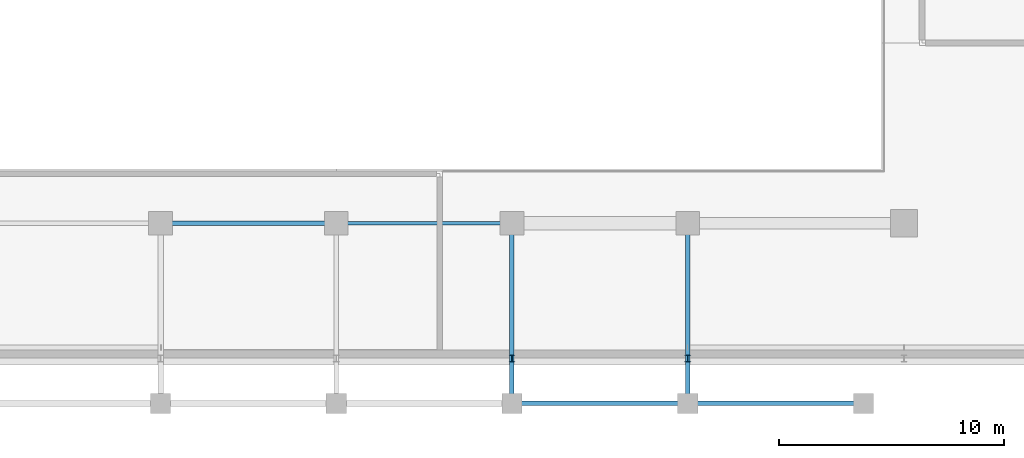
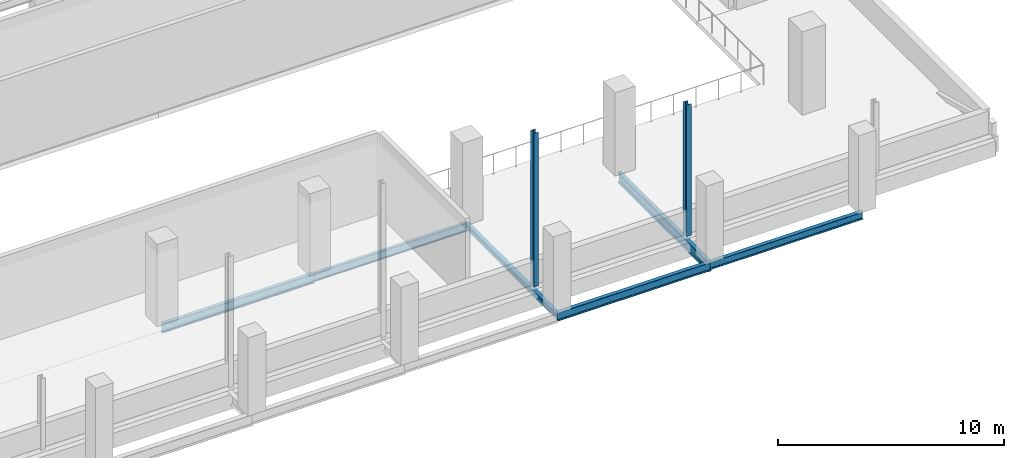
# One storey, part 33 of 85: 6 beams, 2 members.
"""IFC4 building model written with IfcOpenShell, lengths in metres."""

from ifc_helpers import new_model, si_unit, derived_unit, direction, frame, origin, origin_2d, place, context, subcontext, project, spatial, i_section, extrude, material, material_profile, profile_set, type_object, element, save


model = new_model("IFC4")

# Units and contexts
model_context = context("Model", 3, precision=1e-05, world=origin(), true_north=direction((0.0, 1.0)))
body_context = subcontext(model_context, "Body", "Model", "MODEL_VIEW")
ifc_project = project(units=[si_unit("LENGTHUNIT", "METRE"), si_unit("AREAUNIT", "SQUARE_METRE"), si_unit("VOLUMEUNIT", "CUBIC_METRE"), si_unit("PLANEANGLEUNIT", "RADIAN"), si_unit("MASSUNIT", "GRAM", prefix="KILO"), derived_unit("THERMALTRANSMITTANCEUNIT", [(si_unit("POWERUNIT", "WATT"), 1), (si_unit("LENGTHUNIT", "METRE"), -2), (si_unit("THERMODYNAMICTEMPERATUREUNIT", "KELVIN"), -1)])], contexts=[model_context])

# Site, building, storey
site_placement = place(None, origin())
site = spatial("IfcSite", under=ifc_project, at=site_placement, CompositionType="ELEMENT")
building_placement = place(site_placement, origin())
building = spatial("IfcBuilding", under=site, at=building_placement, Name="Nallur Shell Playhouse", CompositionType="ELEMENT")
storey_placement = place(building_placement, frame((0.0, 0.0, 19.800048828125)))
storey = spatial("IfcBuildingStorey", under=building, at=storey_placement, Name="L05", CompositionType="ELEMENT", Elevation=19.800048828125)

# Beams
ifc_material_1 = material(Name="Steel E350", Category="steel")
ifc_material_profile_1 = material_profile(ifc_material_1, i_section(OverallWidth=0.14990234375, OverallDepth=0.449951171875, WebThickness=0.009521484375, FlangeThickness=0.017333984375, FilletRadius=0.014892578125, at=origin_2d()), Name="ISMB 450")
ifc_profile_set_1 = profile_set([ifc_material_profile_1], Name="Steel E350")
beam_type_1 = type_object("IfcBeamType", Name="BM-ST-ISMB450", PredefinedType="BEAM", material=ifc_profile_set_1)
beam_1_placement = place(storey_placement, frame((87.39990234375, 16.0, -0.47509765625), z_axis=(1.0, 0.0, 0.0), x_axis=(0.0, 1.0, 0.0)))
element("IfcBeam", 1, at=beam_1_placement, inside=storey, type_object=beam_type_1, Name="L05 girder X-B-939", PredefinedType="BEAM", context=body_context, shape_type="SweptSolid", body=[
    extrude(i_section(OverallWidth=0.14990234375, OverallDepth=0.449951171875, WebThickness=0.009521484375, FlangeThickness=0.017333984375, FilletRadius=0.014892578125, at=origin_2d()), origin(), (0.0, 0.0, 1.0), 7.800048828125),
])
ifc_material_profile_2 = material_profile(ifc_material_1, i_section(OverallWidth=0.179931640625, OverallDepth=0.5, WebThickness=0.01025390625, FlangeThickness=0.01708984375, FilletRadius=0.01708984375, at=origin_2d()), Name="ISMB 500")
ifc_profile_set_2 = profile_set([ifc_material_profile_2], Name="Steel E350")
beam_type_2 = type_object("IfcBeamType", Name="BM-ST-ISMB500", PredefinedType="BEAM", material=ifc_profile_set_2)
beam_2_placement = place(storey_placement, frame((79.60009765625, 16.0, -0.5), z_axis=(1.0, 0.0, 0.0), x_axis=(0.0, 1.0, 0.0)))
element("IfcBeam", 2, at=beam_2_placement, inside=storey, type_object=beam_type_2, Name="L05 girder X-B-938", PredefinedType="BEAM", context=body_context, shape_type="SweptSolid", body=[
    extrude(i_section(OverallWidth=0.179931640625, OverallDepth=0.5, WebThickness=0.01025390625, FlangeThickness=0.01708984375, FilletRadius=0.01708984375, at=origin_2d()), origin(), (0.0, 0.0, 1.0), 7.7998046875),
])
ifc_material_profile_3 = material_profile(ifc_material_1, i_section(OverallWidth=0.18994140625, OverallDepth=0.550048828125, WebThickness=0.01123046875, FlangeThickness=0.019287109375, FilletRadius=0.01806640625, at=origin_2d()), Name="ISMB 550")
ifc_profile_set_3 = profile_set([ifc_material_profile_3], Name="Steel E350")
beam_type_3 = type_object("IfcBeamType", Name="BM-ST-ISMB550", PredefinedType="BEAM", material=ifc_profile_set_3)
beam_3_placement = place(storey_placement, frame((103.0, 8.0, -0.525146484375), z_axis=(0.0, 1.0, 0.0), x_axis=(-1.0, 0.0, 0.0)))
element("IfcBeam", 3, at=beam_3_placement, inside=storey, type_object=beam_type_3, Name="L05 girder Y-13-1033", PredefinedType="BEAM", context=body_context, shape_type="SweptSolid", body=[
    extrude(i_section(OverallWidth=0.18994140625, OverallDepth=0.550048828125, WebThickness=0.01123046875, FlangeThickness=0.019287109375, FilletRadius=0.01806640625, at=origin_2d()), origin(), (0.0, 0.0, 1.0), 8.0),
])
ifc_material_2 = material(Name="Steel E250", Category="steel")
ifc_material_profile_4 = material_profile(ifc_material_2, i_section(OverallWidth=0.199951171875, OverallDepth=0.300048828125, WebThickness=0.00732421875, FlangeThickness=0.010009765625, FilletRadius=0.010986328125, at=origin_2d()), Name="ISWB 300")
ifc_profile_set_4 = profile_set([ifc_material_profile_4], Name="Steel E250")
beam_type_4 = type_object("IfcBeamType", Name="BM-ST-ISWB300", PredefinedType="BEAM", material=ifc_profile_set_4)
beam_4_placement = place(storey_placement, frame((95.199951171875, 8.0, -0.400146484375), z_axis=(0.0, 1.0, 0.0), x_axis=(-1.0, 0.0, 0.0)))
element("IfcBeam", 4, at=beam_4_placement, inside=storey, type_object=beam_type_4, Name="L05 girder Y-12-1031", PredefinedType="BEAM", context=body_context, shape_type="SweptSolid", body=[
    extrude(i_section(OverallWidth=0.199951171875, OverallDepth=0.300048828125, WebThickness=0.00732421875, FlangeThickness=0.010009765625, FilletRadius=0.010986328125, at=origin_2d()), origin(), (0.0, 0.0, 1.0), 8.0),
])
ifc_material_profile_5 = material_profile(ifc_material_1, i_section(OverallWidth=0.199951171875, OverallDepth=0.39990234375, WebThickness=0.008544921875, FlangeThickness=0.012939453125, FilletRadius=0.012939453125, at=origin_2d()), Name="ISWB 400")
ifc_profile_set_5 = profile_set([ifc_material_profile_5], Name="Steel E350")
beam_type_5 = type_object("IfcBeamType", Name="BM-ST-ISWB400", PredefinedType="BEAM", material=ifc_profile_set_5)
beam_5_placement = place(storey_placement, frame((103.0, 8.0, -0.449951171875), z_axis=(1.0, 0.0, 0.0), x_axis=(0.0, 1.0, 0.0)))
element("IfcBeam", 5, at=beam_5_placement, inside=storey, type_object=beam_type_5, Name="L05 girder X-A-933", PredefinedType="BEAM", context=body_context, shape_type="SweptSolid", body=[
    extrude(i_section(OverallWidth=0.199951171875, OverallDepth=0.39990234375, WebThickness=0.008544921875, FlangeThickness=0.012939453125, FilletRadius=0.012939453125, at=origin_2d()), origin(), (0.0, 0.0, 1.0), 7.800048828125),
])
ifc_material_profile_6 = material_profile(ifc_material_1, i_section(OverallWidth=0.199951171875, OverallDepth=0.449951171875, WebThickness=0.00927734375, FlangeThickness=0.015380859375, FilletRadius=0.013916015625, at=origin_2d()), Name="ISWB 450")
ifc_profile_set_6 = profile_set([ifc_material_profile_6], Name="Steel E350")
beam_type_6 = type_object("IfcBeamType", Name="BM-ST-ISWB450", PredefinedType="BEAM", material=ifc_profile_set_6)
beam_6_placement = place(storey_placement, frame((95.199951171875, 8.0, -0.47509765625), z_axis=(1.0, 0.0, 0.0), x_axis=(0.0, 1.0, 0.0)))
element("IfcBeam", 6, at=beam_6_placement, inside=storey, type_object=beam_type_6, Name="L05 girder X-A-932", PredefinedType="BEAM", context=body_context, shape_type="SweptSolid", body=[
    extrude(i_section(OverallWidth=0.199951171875, OverallDepth=0.449951171875, WebThickness=0.00927734375, FlangeThickness=0.015380859375, FilletRadius=0.013916015625, at=origin_2d()), origin(), (0.0, 0.0, 1.0), 7.800048828125),
])

# Members
ifc_material_profile_7 = material_profile(ifc_material_1, i_section(OverallWidth=0.25, OverallDepth=0.300048828125, WebThickness=0.009521484375, FlangeThickness=0.010498046875, FilletRadius=0.010986328125, at=origin_2d()), Name="ISHB 300")
ifc_profile_set_7 = profile_set([ifc_material_profile_7], Name="Steel E350")
member_type = type_object("IfcMemberType", Name="MB-FASCIA-POST", PredefinedType="POST", material=ifc_profile_set_7)
member_1_placement = place(storey_placement, frame((95.199951171875, 10.0, 0.0), z_axis=(0.0, 0.0, 1.0), x_axis=(1.0, 0.0, 0.0)))
element("IfcMember", 7, at=member_1_placement, inside=storey, type_object=member_type, Name="Cantilever truss fascia post POST-GB-L05-05", PredefinedType="POST", context=body_context, shape_type="SweptSolid", body=[
    extrude(i_section(OverallWidth=0.25, OverallDepth=0.300048828125, WebThickness=0.009521484375, FlangeThickness=0.010498046875, FilletRadius=0.010986328125, at=origin_2d()), origin(), (0.0, 0.0, 1.0), 8.302490234375),
])
member_2_placement = place(storey_placement, frame((103.0, 10.0, 0.0), z_axis=(0.0, 0.0, 1.0), x_axis=(1.0, 0.0, 0.0)))
element("IfcMember", 8, at=member_2_placement, inside=storey, type_object=member_type, Name="Cantilever truss fascia post POST-GB-L05-06", PredefinedType="POST", context=body_context, shape_type="SweptSolid", body=[
    extrude(i_section(OverallWidth=0.25, OverallDepth=0.300048828125, WebThickness=0.009521484375, FlangeThickness=0.010498046875, FilletRadius=0.010986328125, at=origin_2d()), origin(), (0.0, 0.0, 1.0), 7.10791015625),
])

save(model, "model.ifc")
